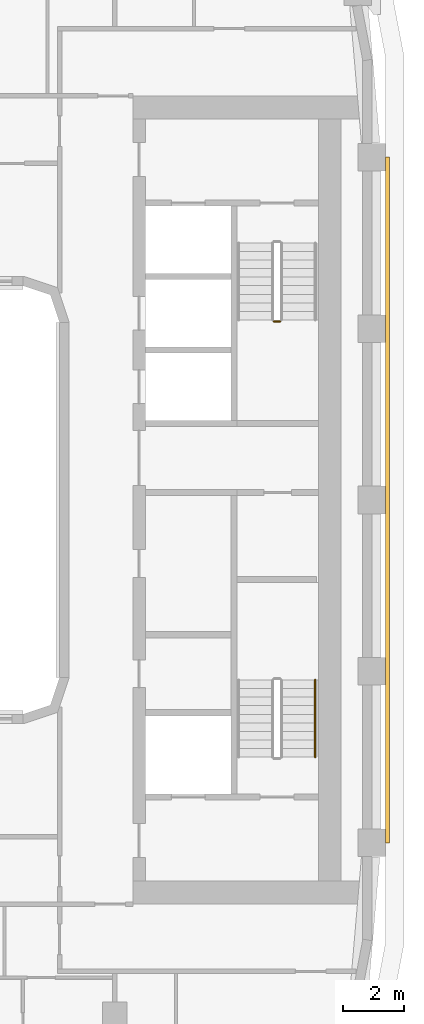
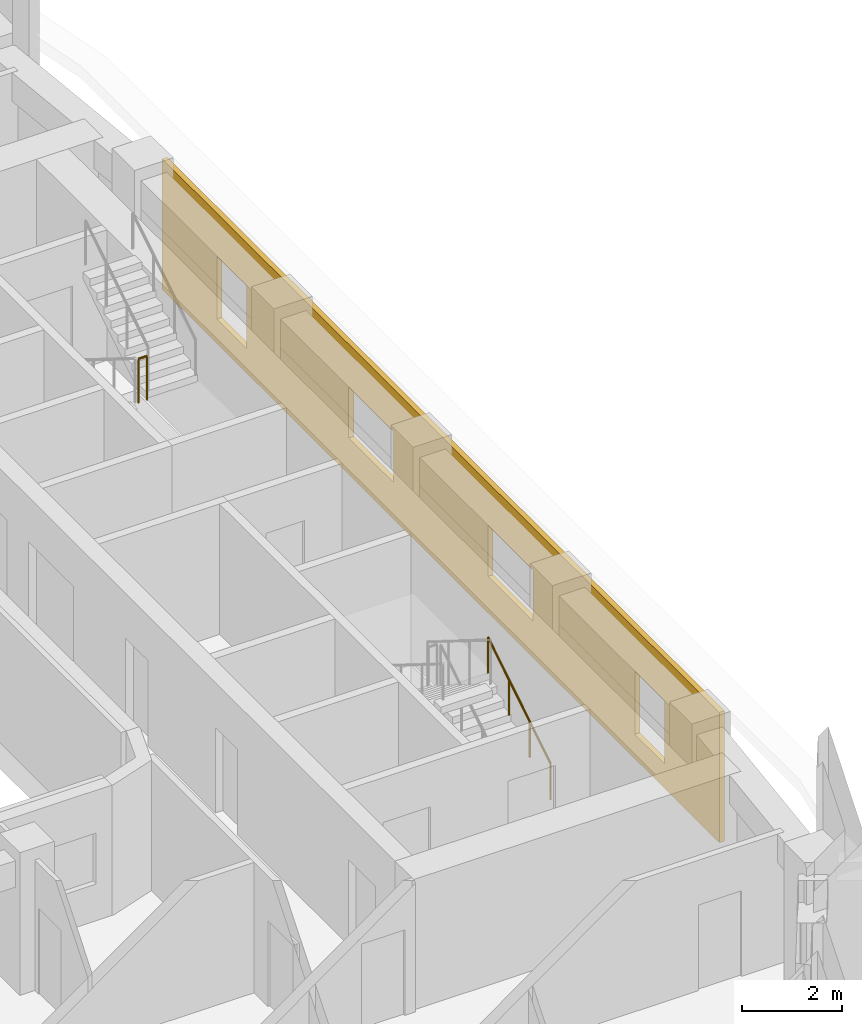
# One storey, part 17 of 20: 2 railings, 1 covering.
"""IFC4 building model written with IfcOpenShell, lengths in metres."""

from ifc_helpers import new_model, si_unit, direction, frame, origin, origin_2d, place, context, subcontext, project, spatial, polyline, circle, outline, extrude, material, layer, layer_set, type_object, element, save


model = new_model("IFC4")

# Units and contexts
model_context = context("Model", 3, precision=1e-05, world=origin(), true_north=direction((0.0, 1.0)))
body_context = subcontext(model_context, "Body", "Model", "MODEL_VIEW")
ifc_project = project(units=[si_unit("LENGTHUNIT", "METRE"), si_unit("AREAUNIT", "SQUARE_METRE"), si_unit("VOLUMEUNIT", "CUBIC_METRE"), si_unit("PLANEANGLEUNIT", "RADIAN"), si_unit("MASSUNIT", "GRAM", prefix="KILO")], contexts=[model_context])

# Site, building, storey
site_placement = place(None, origin())
site = spatial("IfcSite", under=ifc_project, at=site_placement, CompositionType="ELEMENT")
building_placement = place(site_placement, origin())
building = spatial("IfcBuilding", under=site, at=building_placement, Name="Kiln Ring Residences", CompositionType="ELEMENT")
storey_placement = place(building_placement, frame((0.0, 0.0, 188.89990234375)))
storey = spatial("IfcBuildingStorey", under=building, at=storey_placement, Name="L48", CompositionType="ELEMENT", Elevation=188.89990234375)

# Railings
ifc_material_1 = material(Name="Stainless steel", Category="steel")
railing_type_1 = type_object("IfcRailingType", Name="CORE-STAIR-GUARD", PredefinedType="GUARDRAIL", material=ifc_material_1)
railing_1_placement = place(storey_placement, frame((22.0, 5.830078125, 1.75)))
element("IfcRailing", 1, at=railing_1_placement, inside=storey, type_object=railing_type_1, Name="L48 E-STN stair guard 2", PredefinedType="GUARDRAIL", context=body_context, shape_type="SweptSolid", body=[
    extrude(circle(Radius=0.02392578125, at=origin_2d()), frame((0.0, 0.0, 1.076171875), z_axis=(1.0, 0.0, 0.0), x_axis=(0.0, 1.0, 0.0)), (0.0, 0.0, 1.0), 0.199951171875),
    extrude(circle(Radius=0.02099609375, at=origin_2d()), origin(), (0.0, 0.0, 1.0), 1.052001953125),
    extrude(circle(Radius=0.02099609375, at=origin_2d()), frame((0.199951171875, 0.0, 0.0)), (0.0, 0.0, 1.0), 1.052001953125),
])
ifc_material_2 = material(Name="Stainless steel", Category="steel")
railing_type_2 = type_object("IfcRailingType", Name="CORE-STAIR-HANDRAIL", PredefinedType="HANDRAIL", material=ifc_material_2)
railing_2_placement = place(storey_placement, frame((23.35009765625, -8.39990234375, 0.175048828125)))
element("IfcRailing", 2, at=railing_2_placement, inside=storey, type_object=railing_type_2, Name="L48 E-STS stair handrail 1", PredefinedType="HANDRAIL", context=body_context, shape_type="SweptSolid", body=[
    extrude(circle(Radius=0.02392578125, at=origin_2d()), frame((0.0, 0.0, 0.8759765625), z_axis=(0.0, 0.848007534815, 0.529984170421), x_axis=(-1.0, 0.0, 0.0)), (0.0, 0.0, 1.0), 2.9716796875),
    extrude(circle(Radius=0.02099609375, at=origin_2d()), origin(), (0.0, 0.0, 1.0), 0.851806640625),
    extrude(circle(Radius=0.02099609375, at=origin_2d()), frame((0.0, 0.840087890625, 0.52490234375)), (0.0, 0.0, 1.0), 0.851806640625),
    extrude(circle(Radius=0.02099609375, at=origin_2d()), frame((0.0, 1.679931640625, 1.050048828125)), (0.0, 0.0, 1.0), 0.851806640625),
    extrude(circle(Radius=0.02099609375, at=origin_2d()), frame((0.0, 2.52001953125, 1.574951171875)), (0.0, 0.0, 1.0), 0.851806640625),
])

# Covering
ifc_material_3 = material(Name="Brick masonry, dark clay brick", Category="masonry")
ifc_layer = layer(ifc_material_3, 0.1201171875)
ifc_layer_set = layer_set([ifc_layer], Name="RAINSCREEN PANEL 120")
covering_type = type_object("IfcCoveringType", Name="RAINSCREEN PANEL 120", PredefinedType="CLADDING", material=ifc_layer_set)
covering_placement = place(storey_placement, frame((25.7099609375, -11.199951171875, 0.0), z_axis=(0.0, 0.0, 1.0), x_axis=(0.0, 1.0, 0.0)))
element("IfcCovering", 3, at=covering_placement, inside=storey, type_object=covering_type, Name="RAINSCREEN L48", PredefinedType="CLADDING", context=body_context, shape_type="SweptSolid", body=[
    extrude(outline(polyline([(0.0, 0.0), (22.39990234375, 0.0), (22.39990234375, 3.2001953125), (0.0, 3.2001953125), (0.0, 0.0)]), holes=[polyline([(3.39990234375, 0.60009765625), (3.39990234375, 2.150146484375), (2.199951171875, 2.150146484375), (2.199951171875, 0.60009765625), (3.39990234375, 0.60009765625)]), polyline([(20.199951171875, 0.60009765625), (20.199951171875, 2.150146484375), (19.0, 2.150146484375), (19.0, 0.60009765625), (20.199951171875, 0.60009765625)]), polyline([(9.300048828125, 0.900146484375), (9.300048828125, 2.150146484375), (7.5, 2.150146484375), (7.5, 0.900146484375), (9.300048828125, 0.900146484375)]), polyline([(14.89990234375, 0.900146484375), (14.89990234375, 2.150146484375), (13.10009765625, 2.150146484375), (13.10009765625, 0.900146484375), (14.89990234375, 0.900146484375)])]), frame((0.0, 0.06005859375, 0.0), z_axis=(0.0, -1.0, 0.0), x_axis=(1.0, 0.0, 0.0)), (0.0, 0.0, 1.0), 0.1201171875),
])

save(model, "model.ifc")
